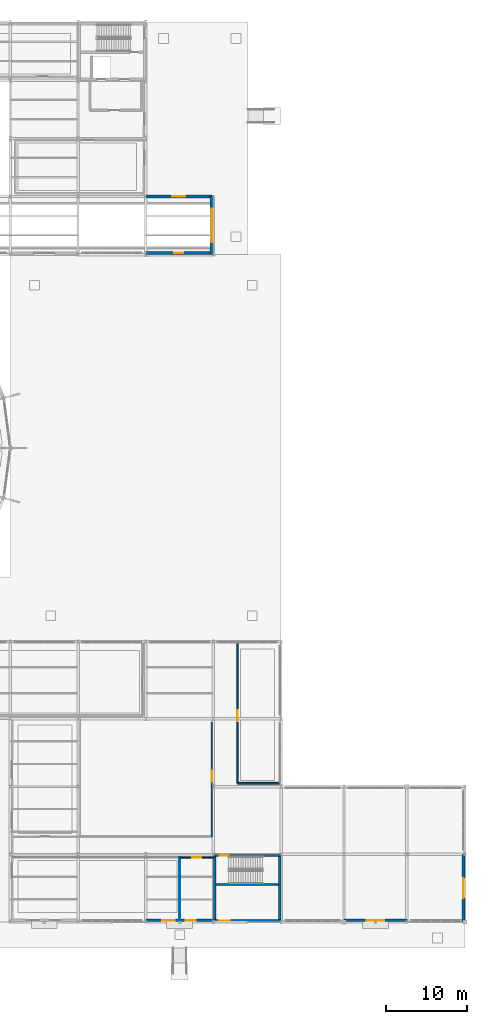
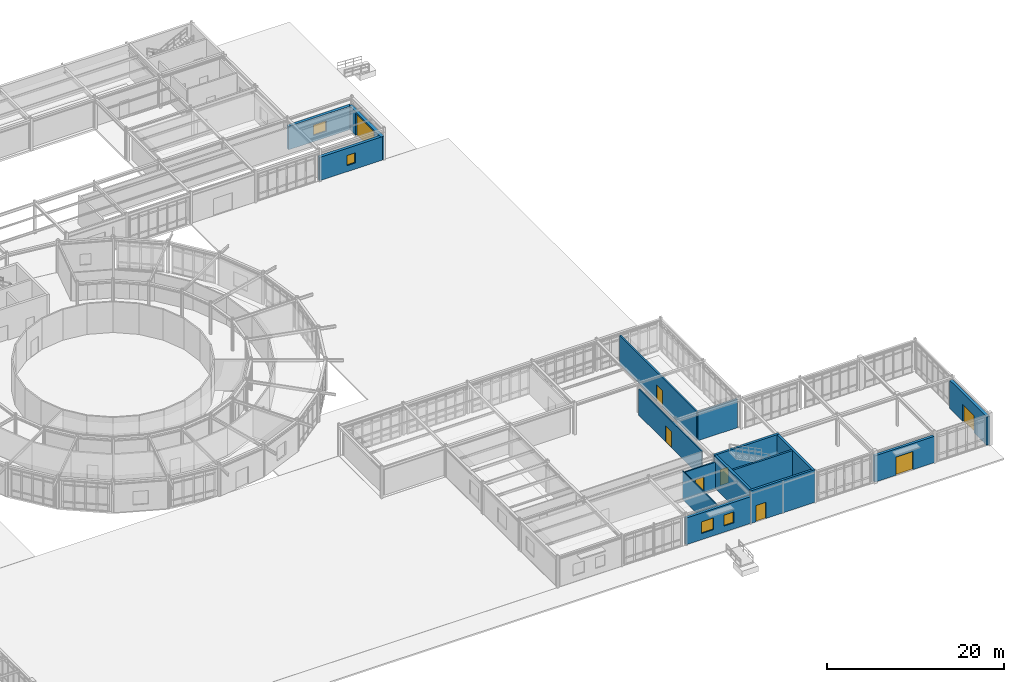
# One storey, part 88 of 101: 16 walls, 8 doors, 4 windows, 12 openings.
"""IFC4 building model written with IfcOpenShell, lengths in metres."""

from ifc_helpers import new_model, si_unit, derived_unit, direction, frame, frame_2d, origin, place, context, subcontext, project, spatial, rectangle, extrude, material, layer, layer_set, type_object, element, fill, save


model = new_model("IFC4")

# Units and contexts
model_context = context("Model", 3, precision=1e-05, world=origin(), true_north=direction((0.0, 1.0)))
body_context = subcontext(model_context, "Body", "Model", "MODEL_VIEW")
ifc_project = project(units=[si_unit("LENGTHUNIT", "METRE"), si_unit("AREAUNIT", "SQUARE_METRE"), si_unit("VOLUMEUNIT", "CUBIC_METRE"), si_unit("PLANEANGLEUNIT", "RADIAN"), si_unit("MASSUNIT", "GRAM", prefix="KILO"), derived_unit("THERMALTRANSMITTANCEUNIT", [(si_unit("POWERUNIT", "WATT"), 1), (si_unit("AREAUNIT", "SQUARE_METRE"), -1), (si_unit("THERMODYNAMICTEMPERATUREUNIT", "KELVIN"), -1)])], contexts=[model_context])

# Site, building, storey
site_placement = place(None, origin())
site = spatial("IfcSite", under=ifc_project, at=site_placement, CompositionType="ELEMENT")
building_placement = place(site_placement, origin())
building = spatial("IfcBuilding", under=site, at=building_placement, Name="Yasenodar Specialist Clinic", CompositionType="ELEMENT")
storey_placement = place(building_placement, origin())
storey = spatial("IfcBuildingStorey", under=building, at=storey_placement, Name="L00", CompositionType="ELEMENT", Elevation=0.0)

# Wall, opening, door
ifc_material_1 = material(Name="Leznykivske Rose Granite Rainscreen", Category="masonry")
ifc_layer_1 = layer(ifc_material_1, 0.3798828125)
ifc_layer_set_1 = layer_set([ifc_layer_1], Name="Leznykivske Rose Granite Rainscreen")
wall_type_1 = type_object("IfcWallType", Name="EW-GRAN-380", PredefinedType="SOLIDWALL", material=ifc_layer_set_1)
wall_1_placement = place(storey_placement, frame((161.199951171875, 8.39990234375, 0.0), z_axis=(0.0, 0.0, 1.0), x_axis=(0.0, -1.0, 0.0)))
wall_1 = element("IfcWall", 1, at=wall_1_placement, inside=storey, type_object=wall_type_1, Name="L00 Exterior Facade Wall 0075", PredefinedType="SOLIDWALL", context=body_context, shape_type="SweptSolid", body=[
    extrude(rectangle(XDim=8.39990234375, YDim=0.3798828125, at=frame_2d((4.199951171875, 0.0))), origin(), (0.0, 0.0, 1.0), 3.89794921875),
])
opening_1_placement = place(wall_1_placement, frame((2.949951171875, 0.0, 0.0)))
opening_1 = element("IfcOpeningElement", 2, at=opening_1_placement, cuts=wall_1, Name="Opening GT-03", PredefinedType="OPENING", context=body_context, shape_type="SweptSolid", body=[
    extrude(rectangle(XDim=2.5, YDim=2.35009765625, at=frame_2d((1.25, 1.175048828125))), frame((0.0, 0.199951171875, 0.0), z_axis=(0.0, -1.0, 0.0), x_axis=(1.0, 0.0, 0.0)), (0.0, 0.0, 1.0), 0.39990234375),
])
ifc_material_2 = material(Name="Thermally Broken Bronze Anodized Aluminium and Laminated Glass", Category="aluminium")
door_type_1 = type_object("IfcDoorType", Name="GT-YARD-250", OperationType="DOUBLE_DOOR_SINGLE_SWING", PredefinedType="GATE", material=ifc_material_2)
door_1_placement = place(opening_1_placement, origin())
door_1 = element("IfcDoor", 3, at=door_1_placement, inside=storey, type_object=door_type_1, Name="L00 East Garden Service Gate GT-03", OperationType="DOUBLE_DOOR_SINGLE_SWING", OverallHeight=2.35009765625, OverallWidth=2.5, PredefinedType="GATE", context=body_context, shape_type="SweptSolid", body=[
    extrude(rectangle(XDim=2.5, YDim=2.35009765625, at=frame_2d((1.25, 1.175048828125))), frame((0.0, 0.02490234375, 0.0), z_axis=(0.0, -1.0, 0.0), x_axis=(1.0, 0.0, 0.0)), (0.0, 0.0, 1.0), 0.050048828125),
])
fill(opening_1, door_1)

# Wall, opening, window
wall_2_placement = place(storey_placement, frame((130.0, 82.969970703125, 0.0), z_axis=(0.0, 0.0, 1.0), x_axis=(-1.0, 0.0, 0.0)))
wall_2 = element("IfcWall", 4, at=wall_2_placement, inside=storey, type_object=wall_type_1, Name="L00 Exterior Facade Wall 0164", PredefinedType="SOLIDWALL", context=body_context, shape_type="SweptSolid", body=[
    extrude(rectangle(XDim=8.199951171875, YDim=0.3798828125, at=frame_2d((4.10009765625, 0.0))), origin(), (0.0, 0.0, 1.0), 3.22802734375),
])
opening_2_placement = place(wall_2_placement, frame((3.550048828125, 0.0, 0.85009765625)))
opening_2 = element("IfcOpeningElement", 5, at=opening_2_placement, cuts=wall_2, Name="Opening W-19", PredefinedType="OPENING", context=body_context, shape_type="SweptSolid", body=[
    extrude(rectangle(XDim=1.10009765625, YDim=1.39990234375, at=frame_2d((0.550048828125, 0.699951171875))), frame((0.0, 0.199951171875, 0.0), z_axis=(0.0, -1.0, 0.0), x_axis=(1.0, 0.0, 0.0)), (0.0, 0.0, 1.0), 0.39990234375),
])
ifc_material_3 = material(Name="Triple Low-E Argon Glazing in Bronze Aluminium Frame", Category="aluminium")
window_type_1 = type_object("IfcWindowType", Name="WIN-EXT-19", PartitioningType="SINGLE_PANEL", PredefinedType="WINDOW", material=ifc_material_3)
window_1_placement = place(opening_2_placement, origin())
window_1 = element("IfcWindow", 6, at=window_1_placement, inside=storey, type_object=window_type_1, Name="L00 Triple-Glazed Reveal Window 0180", OverallHeight=1.39990234375, OverallWidth=1.10009765625, PartitioningType="SINGLE_PANEL", PredefinedType="WINDOW", context=body_context, shape_type="SweptSolid", body=[
    extrude(rectangle(XDim=1.10009765625, YDim=1.39990234375, at=frame_2d((0.550048828125, 0.699951171875))), frame((0.0, 0.030029296875, 0.0), z_axis=(0.0, -1.0, 0.0), x_axis=(1.0, 0.0, 0.0)), (0.0, 0.0, 1.0), 0.06005859375),
])
fill(opening_2, window_1)

wall_3_placement = place(storey_placement, frame((121.800048828125, 90.0, 0.0), z_axis=(0.0, 0.0, 1.0), x_axis=(1.0, 0.0, 0.0)))
wall_3 = element("IfcWall", 7, at=wall_3_placement, inside=storey, type_object=wall_type_1, Name="L00 Exterior Facade Wall 0165", PredefinedType="SOLIDWALL", context=body_context, shape_type="SweptSolid", body=[
    extrude(rectangle(XDim=8.199951171875, YDim=0.3798828125, at=frame_2d((4.10009765625, 0.0))), origin(), (0.0, 0.0, 1.0), 3.22802734375),
])
opening_3_placement = place(wall_3_placement, frame((3.27490234375, 0.0, 0.85009765625)))
opening_3 = element("IfcOpeningElement", 8, at=opening_3_placement, cuts=wall_3, Name="Opening W-20", PredefinedType="OPENING", context=body_context, shape_type="SweptSolid", body=[
    extrude(rectangle(XDim=1.64990234375, YDim=1.449951171875, at=frame_2d((0.824951171875, 0.72509765625))), frame((0.0, 0.199951171875, 0.0), z_axis=(0.0, -1.0, 0.0), x_axis=(1.0, 0.0, 0.0)), (0.0, 0.0, 1.0), 0.39990234375),
])
window_type_2 = type_object("IfcWindowType", Name="WIN-EXT-20", PartitioningType="SINGLE_PANEL", PredefinedType="WINDOW", material=ifc_material_3)
window_2_placement = place(opening_3_placement, origin())
window_2 = element("IfcWindow", 9, at=window_2_placement, inside=storey, type_object=window_type_2, Name="L00 Triple-Glazed Reveal Window 0181", OverallHeight=1.449951171875, OverallWidth=1.64990234375, PartitioningType="SINGLE_PANEL", PredefinedType="WINDOW", context=body_context, shape_type="SweptSolid", body=[
    extrude(rectangle(XDim=1.64990234375, YDim=1.449951171875, at=frame_2d((0.824951171875, 0.72509765625))), frame((0.0, 0.030029296875, 0.0), z_axis=(0.0, -1.0, 0.0), x_axis=(1.0, 0.0, 0.0)), (0.0, 0.0, 1.0), 0.06005859375),
])
fill(opening_3, window_2)

# Wall, opening, door
ifc_material_4 = material(Name="Kapustianske Red Granite Ashlar Rainscreen", Category="masonry")
ifc_layer_2 = layer(ifc_material_4, 0.419921875)
ifc_layer_set_2 = layer_set([ifc_layer_2], Name="Kapustianske Red Granite Ashlar Rainscreen")
wall_type_2 = type_object("IfcWallType", Name="EW-GRAN-420", PredefinedType="SOLIDWALL", material=ifc_layer_set_2)
wall_4_placement = place(storey_placement, frame((130.0, 90.0, 0.0), z_axis=(0.0, 0.0, 1.0), x_axis=(0.0, -1.0, 0.0)))
wall_4 = element("IfcWall", 10, at=wall_4_placement, inside=storey, type_object=wall_type_2, Name="L00 Exterior Facade Wall 0163", PredefinedType="SOLIDWALL", context=body_context, shape_type="SweptSolid", body=[
    extrude(rectangle(XDim=7.199951171875, YDim=0.419921875, at=frame_2d((3.60009765625, 0.0))), origin(), (0.0, 0.0, 1.0), 3.22802734375),
])
opening_4_placement = place(wall_4_placement, frame((1.5, 0.0, 0.0)))
opening_4 = element("IfcOpeningElement", 11, at=opening_4_placement, cuts=wall_4, Name="Opening GT-01", PredefinedType="OPENING", context=body_context, shape_type="SweptSolid", body=[
    extrude(rectangle(XDim=4.199951171875, YDim=3.048095703125, at=frame_2d((2.10009765625, 1.52392578125))), frame((0.0, 0.219970703125, 0.0), z_axis=(0.0, -1.0, 0.0), x_axis=(1.0, 0.0, 0.0)), (0.0, 0.0, 1.0), 0.43994140625),
])
door_type_2 = type_object("IfcDoorType", Name="GT-RAMP-420", OperationType="ROLLINGUP", PredefinedType="GATE", material=ifc_material_2)
door_2_placement = place(opening_4_placement, origin())
door_2 = element("IfcDoor", 12, at=door_2_placement, inside=storey, type_object=door_type_2, Name="L00 Vehicle Ramp Roller Shutter GT-01", OperationType="ROLLINGUP", OverallHeight=3.048095703125, OverallWidth=4.199951171875, PredefinedType="GATE", context=body_context, shape_type="SweptSolid", body=[
    extrude(rectangle(XDim=4.199951171875, YDim=3.048095703125, at=frame_2d((2.10009765625, 1.52392578125))), frame((0.0, 0.02490234375, 0.0), z_axis=(0.0, -1.0, 0.0), x_axis=(1.0, 0.0, 0.0)), (0.0, 0.0, 1.0), 0.050048828125),
])
fill(opening_4, door_2)

ifc_material_5 = material(Name="Buff Architectural Terracotta Rainscreen", Category="masonry")
ifc_layer_3 = layer(ifc_material_5, 0.340087890625)
ifc_layer_set_3 = layer_set([ifc_layer_3], Name="Buff Architectural Terracotta Rainscreen")
wall_type_3 = type_object("IfcWallType", Name="EW-TERR-340", PredefinedType="SOLIDWALL", material=ifc_layer_set_3)
wall_5_placement = place(storey_placement, frame((154.199951171875, 0.199951171875, 0.0), z_axis=(0.0, 0.0, 1.0), x_axis=(-1.0, 0.0, 0.0)))
wall_5 = element("IfcWall", 13, at=wall_5_placement, inside=storey, type_object=wall_type_3, Name="L00 Exterior Facade Wall 0072", PredefinedType="SOLIDWALL", context=body_context, shape_type="SweptSolid", body=[
    extrude(rectangle(XDim=7.800048828125, YDim=0.340087890625, at=frame_2d((3.89990234375, 0.0))), origin(), (0.0, 0.0, 1.0), 3.6279296875),
])
opening_5_placement = place(wall_5_placement, frame((2.800048828125, 0.0, 0.0)))
opening_5 = element("IfcOpeningElement", 14, at=opening_5_placement, cuts=wall_5, Name="Opening EX-04", PredefinedType="OPENING", context=body_context, shape_type="SweptSolid", body=[
    extrude(rectangle(XDim=2.199951171875, YDim=2.5, at=frame_2d((1.10009765625, 1.25))), frame((0.0, 0.18017578125, 0.0), z_axis=(0.0, -1.0, 0.0), x_axis=(1.0, 0.0, 0.0)), (0.0, 0.0, 1.0), 0.360107421875),
])
door_type_3 = type_object("IfcDoorType", Name="DR-EX-220", OperationType="DOUBLE_DOOR_SINGLE_SWING", PredefinedType="DOOR", material=ifc_material_2)
door_3_placement = place(opening_5_placement, origin())
door_3 = element("IfcDoor", 15, at=door_3_placement, inside=storey, type_object=door_type_3, Name="L00 Conservatory South Healing Garden Exit EX-07", OperationType="DOUBLE_DOOR_SINGLE_SWING", OverallHeight=2.5, OverallWidth=2.199951171875, PredefinedType="DOOR", context=body_context, shape_type="SweptSolid", body=[
    extrude(rectangle(XDim=2.199951171875, YDim=2.5, at=frame_2d((1.10009765625, 1.25))), frame((0.0, 0.02490234375, 0.0), z_axis=(0.0, -1.0, 0.0), x_axis=(1.0, 0.0, 0.0)), (0.0, 0.0, 1.0), 0.050048828125),
])
fill(opening_5, door_3)

# Wall, openings, windows
wall_6_placement = place(storey_placement, frame((130.199951171875, 0.199951171875, 0.0), z_axis=(0.0, 0.0, 1.0), x_axis=(-1.0, 0.0, 0.0)))
wall_6 = element("IfcWall", 16, at=wall_6_placement, inside=storey, type_object=wall_type_3, Name="L00 Exterior Facade Wall 0073", PredefinedType="SOLIDWALL", context=body_context, shape_type="SweptSolid", body=[
    extrude(rectangle(XDim=8.39990234375, YDim=0.340087890625, at=frame_2d((4.199951171875, 0.0))), origin(), (0.0, 0.0, 1.0), 3.677978515625),
])
opening_6_placement = place(wall_6_placement, frame((2.175048828125, 0.0, 0.85009765625)))
opening_6 = element("IfcOpeningElement", 17, at=opening_6_placement, cuts=wall_6, Name="Opening W-15", PredefinedType="OPENING", context=body_context, shape_type="SweptSolid", body=[
    extrude(rectangle(XDim=1.25, YDim=1.5, at=frame_2d((0.625, 0.75))), frame((0.0, 0.18017578125, 0.0), z_axis=(0.0, -1.0, 0.0), x_axis=(1.0, 0.0, 0.0)), (0.0, 0.0, 1.0), 0.360107421875),
])
opening_7_placement = place(wall_6_placement, frame((4.824951171875, 0.0, 0.85009765625)))
opening_7 = element("IfcOpeningElement", 18, at=opening_7_placement, cuts=wall_6, Name="Opening W-16", PredefinedType="OPENING", context=body_context, shape_type="SweptSolid", body=[
    extrude(rectangle(XDim=1.550048828125, YDim=1.60009765625, at=frame_2d((0.77490234375, 0.800048828125))), frame((0.0, 0.18017578125, 0.0), z_axis=(0.0, -1.0, 0.0), x_axis=(1.0, 0.0, 0.0)), (0.0, 0.0, 1.0), 0.360107421875),
])
window_type_3 = type_object("IfcWindowType", Name="WIN-EXT-15", PartitioningType="SINGLE_PANEL", PredefinedType="WINDOW", material=ifc_material_3)
window_3_placement = place(opening_6_placement, origin())
window_3 = element("IfcWindow", 19, at=window_3_placement, inside=storey, type_object=window_type_3, Name="L00 Triple-Glazed Reveal Window 0053", OverallHeight=1.5, OverallWidth=1.25, PartitioningType="SINGLE_PANEL", PredefinedType="WINDOW", context=body_context, shape_type="SweptSolid", body=[
    extrude(rectangle(XDim=1.25, YDim=1.5, at=frame_2d((0.625, 0.75))), frame((0.0, 0.030029296875, 0.0), z_axis=(0.0, -1.0, 0.0), x_axis=(1.0, 0.0, 0.0)), (0.0, 0.0, 1.0), 0.06005859375),
])
fill(opening_6, window_3)
window_type_4 = type_object("IfcWindowType", Name="WIN-EXT-16", PartitioningType="SINGLE_PANEL", PredefinedType="WINDOW", material=ifc_material_3)
window_4_placement = place(opening_7_placement, origin())
window_4 = element("IfcWindow", 20, at=window_4_placement, inside=storey, type_object=window_type_4, Name="L00 Triple-Glazed Reveal Window 0054", OverallHeight=1.60009765625, OverallWidth=1.550048828125, PartitioningType="SINGLE_PANEL", PredefinedType="WINDOW", context=body_context, shape_type="SweptSolid", body=[
    extrude(rectangle(XDim=1.550048828125, YDim=1.60009765625, at=frame_2d((0.77490234375, 0.800048828125))), frame((0.0, 0.030029296875, 0.0), z_axis=(0.0, -1.0, 0.0), x_axis=(1.0, 0.0, 0.0)), (0.0, 0.0, 1.0), 0.06005859375),
])
fill(opening_7, window_4)

# Wall, opening, door
ifc_material_6 = material(Name="Outpatient Examination Partition")
ifc_layer_4 = layer(ifc_material_6, 0.14990234375)
ifc_layer_set_4 = layer_set([ifc_layer_4], Name="Outpatient Examination Partition")
wall_type_4 = type_object("IfcWallType", Name="IW-CONS-150", PredefinedType="PARTITIONING", material=ifc_layer_set_4)
wall_7_placement = place(storey_placement, frame((130.0, 10.60009765625, 0.0), z_axis=(0.0, 0.0, 1.0), x_axis=(0.0, 1.0, 0.0)))
wall_7 = element("IfcWall", 21, at=wall_7_placement, inside=storey, type_object=wall_type_4, Name="L00 Hydrotherapy Rehabilitation Pool Hall Partition", PredefinedType="PARTITIONING", context=body_context, shape_type="SweptSolid", body=[
    extrude(rectangle(XDim=14.199951171875, YDim=0.14990234375, at=frame_2d((7.10009765625, 0.0))), origin(), (0.0, 0.0, 1.0), 3.6279296875),
])
opening_8_placement = place(wall_7_placement, frame((6.800048828125, 0.0, 0.0)))
opening_8 = element("IfcOpeningElement", 22, at=opening_8_placement, cuts=wall_7, Name="Opening D-11", PredefinedType="OPENING", context=body_context, shape_type="SweptSolid", body=[
    extrude(rectangle(XDim=1.360107421875, YDim=2.199951171875, at=frame_2d((0.68017578125, 1.10009765625))), frame((0.0, 0.0849609375, 0.0), z_axis=(0.0, -1.0, 0.0), x_axis=(1.0, 0.0, 0.0)), (0.0, 0.0, 1.0), 0.169921875),
])
ifc_material_7 = material(Name="Powder-Coated Steel and Acoustic Laminate Leaf", Category="steel")
door_type_4 = type_object("IfcDoorType", Name="DR-PLT-136", OperationType="NOTDEFINED", PredefinedType="DOOR", material=ifc_material_7)
door_4_placement = place(opening_8_placement, origin())
door_4 = element("IfcDoor", 23, at=door_4_placement, inside=storey, type_object=door_type_4, Name="L00 Hydrotherapy Rehabilitation Pool Hall Door", OperationType="SINGLE_SWING_LEFT", OverallHeight=2.199951171875, OverallWidth=1.360107421875, PredefinedType="DOOR", context=body_context, shape_type="SweptSolid", body=[
    extrude(rectangle(XDim=1.360107421875, YDim=2.199951171875, at=frame_2d((0.68017578125, 1.10009765625))), frame((0.0, 0.02490234375, 0.0), z_axis=(0.0, -1.0, 0.0), x_axis=(1.0, 0.0, 0.0)), (0.0, 0.0, 1.0), 0.050048828125),
])
fill(opening_8, door_4)

# Wall
ifc_material_8 = material(Name="Lightweight Counseling Partition")
ifc_layer_5 = layer(ifc_material_8, 0.114990234375)
ifc_layer_set_5 = layer_set([ifc_layer_5], Name="Lightweight Counseling Partition")
wall_type_5 = type_object("IfcWallType", Name="IW-PART-115", PredefinedType="PARTITIONING", material=ifc_layer_set_5)
wall_8_placement = place(storey_placement, frame((126.0, 8.0, 0.0), z_axis=(0.0, 0.0, 1.0), x_axis=(0.0, -1.0, 0.0)))
element("IfcWall", 24, at=wall_8_placement, inside=storey, type_object=wall_type_5, Name="L00 Physiotherapy Kinesiotherapy Gym Partition", PredefinedType="PARTITIONING", context=body_context, shape_type="SweptSolid", body=[
    extrude(rectangle(XDim=7.64990234375, YDim=0.114990234375, at=frame_2d((3.824951171875, 0.0))), origin(), (0.0, 0.0, 1.0), 3.927978515625),
])

# Wall, opening, door
ifc_material_9 = material(Name="Hygienic Double-Stud Clinical Partition")
ifc_layer_6 = layer(ifc_material_9, 0.179931640625)
ifc_layer_set_6 = layer_set([ifc_layer_6], Name="Hygienic Double-Stud Clinical Partition")
wall_type_6 = type_object("IfcWallType", Name="IW-PROC-180", PredefinedType="PARTITIONING", material=ifc_layer_set_6)
wall_9_placement = place(storey_placement, frame((126.03759765625, 8.0, 0.0), z_axis=(0.0, 0.0, 1.0), x_axis=(1.0, 0.0, 0.0)))
wall_9 = element("IfcWall", 25, at=wall_9_placement, inside=storey, type_object=wall_type_6, Name="L00 Electrotherapy and Cryotherapy Suite Partition", PredefinedType="PARTITIONING", context=body_context, shape_type="SweptSolid", body=[
    extrude(rectangle(XDim=4.182373046875, YDim=0.179931640625, at=frame_2d((2.09130859375, 0.0))), origin(), (0.0, 0.0, 1.0), 3.677978515625),
])
opening_9_placement = place(wall_9_placement, frame((1.512451171875, 0.0, 0.0)))
opening_9 = element("IfcOpeningElement", 26, at=opening_9_placement, cuts=wall_9, Name="Opening D-05", PredefinedType="OPENING", context=body_context, shape_type="SweptSolid", body=[
    extrude(rectangle(XDim=1.1201171875, YDim=2.179931640625, at=frame_2d((0.56005859375, 1.08984375))), frame((0.0, 0.10009765625, 0.0), z_axis=(0.0, -1.0, 0.0), x_axis=(1.0, 0.0, 0.0)), (0.0, 0.0, 1.0), 0.199951171875),
])
door_type_5 = type_object("IfcDoorType", Name="DR-CLN-112", OperationType="NOTDEFINED", PredefinedType="DOOR", material=ifc_material_7)
door_5_placement = place(opening_9_placement, origin())
door_5 = element("IfcDoor", 27, at=door_5_placement, inside=storey, type_object=door_type_5, Name="L00 Electrotherapy and Cryotherapy Suite Door", OperationType="SINGLE_SWING_RIGHT", OverallHeight=2.179931640625, OverallWidth=1.1201171875, PredefinedType="DOOR", context=body_context, shape_type="SweptSolid", body=[
    extrude(rectangle(XDim=1.1201171875, YDim=2.179931640625, at=frame_2d((0.56005859375, 1.08984375))), frame((0.0, 0.02490234375, 0.0), z_axis=(0.0, -1.0, 0.0), x_axis=(1.0, 0.0, 0.0)), (0.0, 0.0, 1.0), 0.050048828125),
])
fill(opening_9, door_5)

ifc_material_10 = material(Name="Aerated Concrete Blockwork Fire Shaft Wall", Category="masonry")
ifc_layer_7 = layer(ifc_material_10, 0.205078125)
ifc_layer_set_7 = layer_set([ifc_layer_7], Name="Aerated Concrete Blockwork Fire Shaft Wall")
wall_type_7 = type_object("IfcWallType", Name="IW-SHAFT-205", PredefinedType="PARTITIONING", material=ifc_layer_set_7)
wall_10_placement = place(storey_placement, frame((133.199951171875, 34.590087890625, 0.0), z_axis=(0.0, 0.0, 1.0), x_axis=(0.0, -1.0, 0.0)))
wall_10 = element("IfcWall", 28, at=wall_10_placement, inside=storey, type_object=wall_type_7, Name="L00 Pool Filtration Plant Room Partition", PredefinedType="PARTITIONING", context=body_context, shape_type="SweptSolid", body=[
    extrude(rectangle(XDim=17.39013671875, YDim=0.205078125, at=frame_2d((8.695068359375, 0.0))), origin(), (0.0, 0.0, 1.0), 3.9580078125),
])
opening_10_placement = place(wall_10_placement, frame((8.340087890625, 0.0, 0.0)))
opening_10 = element("IfcOpeningElement", 29, at=opening_10_placement, cuts=wall_10, Name="Opening FD-03", PredefinedType="OPENING", context=body_context, shape_type="SweptSolid", body=[
    extrude(rectangle(XDim=1.320068359375, YDim=2.179931640625, at=frame_2d((0.66015625, 1.08984375))), frame((0.0, 0.112548828125, 0.0), z_axis=(0.0, -1.0, 0.0), x_axis=(1.0, 0.0, 0.0)), (0.0, 0.0, 1.0), 0.22509765625),
])
ifc_material_11 = material(Name="Fire-Rated Insulated Steel Door", Category="steel")
door_type_6 = type_object("IfcDoorType", Name="DR-FD-132", OperationType="NOTDEFINED", PredefinedType="DOOR", material=ifc_material_11)
door_6_placement = place(opening_10_placement, origin())
door_6 = element("IfcDoor", 30, at=door_6_placement, inside=storey, type_object=door_type_6, Name="L00 Pool Filtration Plant Room Door", OperationType="SINGLE_SWING_LEFT", OverallHeight=2.179931640625, OverallWidth=1.320068359375, PredefinedType="DOOR", context=body_context, shape_type="SweptSolid", body=[
    extrude(rectangle(XDim=1.320068359375, YDim=2.179931640625, at=frame_2d((0.66015625, 1.08984375))), frame((0.0, 0.02490234375, 0.0), z_axis=(0.0, -1.0, 0.0), x_axis=(1.0, 0.0, 0.0)), (0.0, 0.0, 1.0), 0.050048828125),
])
fill(opening_10, door_6)

# Walls
wall_11_placement = place(storey_placement, frame((133.199951171875, 17.199951171875, 0.0), z_axis=(0.0, 0.0, 1.0), x_axis=(1.0, 0.0, 0.0)))
element("IfcWall", 31, at=wall_11_placement, inside=storey, type_object=wall_type_7, Name="L00 Pool Filtration Plant Room Partition", PredefinedType="PARTITIONING", context=body_context, shape_type="SweptSolid", body=[
    extrude(rectangle(XDim=5.18994140625, YDim=0.205078125, at=frame_2d((2.594970703125, 0.0))), origin(), (0.0, 0.0, 1.0), 3.93798828125),
])
ifc_material_12 = material(Name="Concrete C35/45", Category="concrete")
ifc_layer_8 = layer(ifc_material_12, 0.25)
ifc_layer_set_8 = layer_set([ifc_layer_8], Name="Concrete C35/45")
wall_type_8 = type_object("IfcWallType", Name="WL-CORE-250", PredefinedType="SHEAR", material=ifc_layer_set_8)
wall_12_placement = place(storey_placement, frame((130.5, 4.64990234375, 0.0), z_axis=(0.0, 0.0, 1.0), x_axis=(1.0, 0.0, 0.0)))
element("IfcWall", 32, at=wall_12_placement, inside=storey, type_object=wall_type_8, Name="L00 Core C6 Central Spine Wall", PredefinedType="SHEAR", context=body_context, shape_type="SweptSolid", body=[
    extrude(rectangle(XDim=7.800048828125, YDim=0.25, at=frame_2d((3.89990234375, 0.0))), origin(), (0.0, 0.0, 1.0), 4.5),
])

# Wall, opening, door
ifc_layer_9 = layer(ifc_material_12, 0.300048828125)
ifc_layer_set_9 = layer_set([ifc_layer_9], Name="Concrete C35/45")
wall_type_9 = type_object("IfcWallType", Name="WL-CORE-300", PredefinedType="SHEAR", material=ifc_layer_set_9)
wall_13_placement = place(storey_placement, frame((130.199951171875, 8.25, 0.0), z_axis=(0.0, 0.0, 1.0), x_axis=(1.0, 0.0, 0.0)))
wall_13 = element("IfcWall", 33, at=wall_13_placement, inside=storey, type_object=wall_type_9, Name="L00 Core C6 North Shear Wall", PredefinedType="SHEAR", context=body_context, shape_type="SweptSolid", body=[
    extrude(rectangle(XDim=8.400146484375, YDim=0.300048828125, at=frame_2d((4.2001953125, 0.0))), origin(), (0.0, 0.0, 1.0), 4.5),
])
opening_11_placement = place(wall_13_placement, frame((0.800048828125, 0.0, 0.0)))
opening_11 = element("IfcOpeningElement", 34, at=opening_11_placement, cuts=wall_13, Name="Opening FD-01", PredefinedType="OPENING", context=body_context, shape_type="SweptSolid", body=[
    extrude(rectangle(XDim=1.10009765625, YDim=2.14990234375, at=frame_2d((0.550048828125, 1.074951171875))), frame((0.0, 0.16015625, 0.0), z_axis=(0.0, -1.0, 0.0), x_axis=(1.0, 0.0, 0.0)), (0.0, 0.0, 1.0), 0.320068359375),
])
door_type_7 = type_object("IfcDoorType", Name="DR-FD-110", OperationType="NOTDEFINED", PredefinedType="DOOR", material=ifc_material_11)
door_7_placement = place(opening_11_placement, origin())
door_7 = element("IfcDoor", 35, at=door_7_placement, inside=storey, type_object=door_type_7, Name="L00 ST-06 Protected Stair Door", OperationType="SINGLE_SWING_LEFT", OverallHeight=2.14990234375, OverallWidth=1.10009765625, PredefinedType="DOOR", context=body_context, shape_type="SweptSolid", body=[
    extrude(rectangle(XDim=1.10009765625, YDim=2.14990234375, at=frame_2d((0.550048828125, 1.074951171875))), frame((0.0, 0.02490234375, 0.0), z_axis=(0.0, -1.0, 0.0), x_axis=(1.0, 0.0, 0.0)), (0.0, 0.0, 1.0), 0.050048828125),
])
fill(opening_11, door_7)

wall_14_placement = place(storey_placement, frame((138.60009765625, 0.14990234375, 0.0), z_axis=(0.0, 0.0, 1.0), x_axis=(-1.0, 0.0, 0.0)))
wall_14 = element("IfcWall", 36, at=wall_14_placement, inside=storey, type_object=wall_type_9, Name="L00 Core C6 South Shear Wall", PredefinedType="SHEAR", context=body_context, shape_type="SweptSolid", body=[
    extrude(rectangle(XDim=8.400146484375, YDim=0.300048828125, at=frame_2d((4.2001953125, 0.0))), origin(), (0.0, 0.0, 1.0), 4.5),
])
opening_12_placement = place(wall_14_placement, frame((6.39990234375, 0.0, 0.0)))
opening_12 = element("IfcOpeningElement", 37, at=opening_12_placement, cuts=wall_14, Name="Opening EX-01", PredefinedType="OPENING", context=body_context, shape_type="SweptSolid", body=[
    extrude(rectangle(XDim=1.300048828125, YDim=2.25, at=frame_2d((0.64990234375, 1.125))), frame((0.0, 0.16015625, 0.0), z_axis=(0.0, -1.0, 0.0), x_axis=(1.0, 0.0, 0.0)), (0.0, 0.0, 1.0), 0.320068359375),
])
door_type_8 = type_object("IfcDoorType", Name="DR-EX-130", OperationType="NOTDEFINED", PredefinedType="DOOR", material=ifc_material_2)
door_8_placement = place(opening_12_placement, origin())
door_8 = element("IfcDoor", 38, at=door_8_placement, inside=storey, type_object=door_type_8, Name="L00 Stair ST-06 Direct Garden Final Exit EX-11", OperationType="SINGLE_SWING_RIGHT", OverallHeight=2.25, OverallWidth=1.300048828125, PredefinedType="DOOR", context=body_context, shape_type="SweptSolid", body=[
    extrude(rectangle(XDim=1.300048828125, YDim=2.25, at=frame_2d((0.64990234375, 1.125))), frame((0.0, 0.02490234375, 0.0), z_axis=(0.0, -1.0, 0.0), x_axis=(1.0, 0.0, 0.0)), (0.0, 0.0, 1.0), 0.050048828125),
])
fill(opening_12, door_8)

# Walls
for number, where, z_axis, x_axis, name in (
    (39, (130.35009765625, 0.0, 0.0), (0.0, 0.0, 1.0), (0.0, 1.0, 0.0), "L00 Core C6 West Shear Wall"),
    (40, (138.449951171875, 0.0, 0.0), (0.0, 0.0, 1.0), (0.0, 1.0, 0.0), "L00 Core C6 East Shear Wall"),
):
    element("IfcWall", number, at=place(storey_placement, frame(where, z_axis=z_axis, x_axis=x_axis)), inside=storey, type_object=wall_type_9, Name=name, PredefinedType="SHEAR", context=body_context, shape_type="SweptSolid", body=[
        extrude(rectangle(XDim=8.39990234375, YDim=0.300048828125, at=frame_2d((4.199951171875, 0.0))), origin(), (0.0, 0.0, 1.0), 4.5),
    ])

save(model, "model.ifc")
